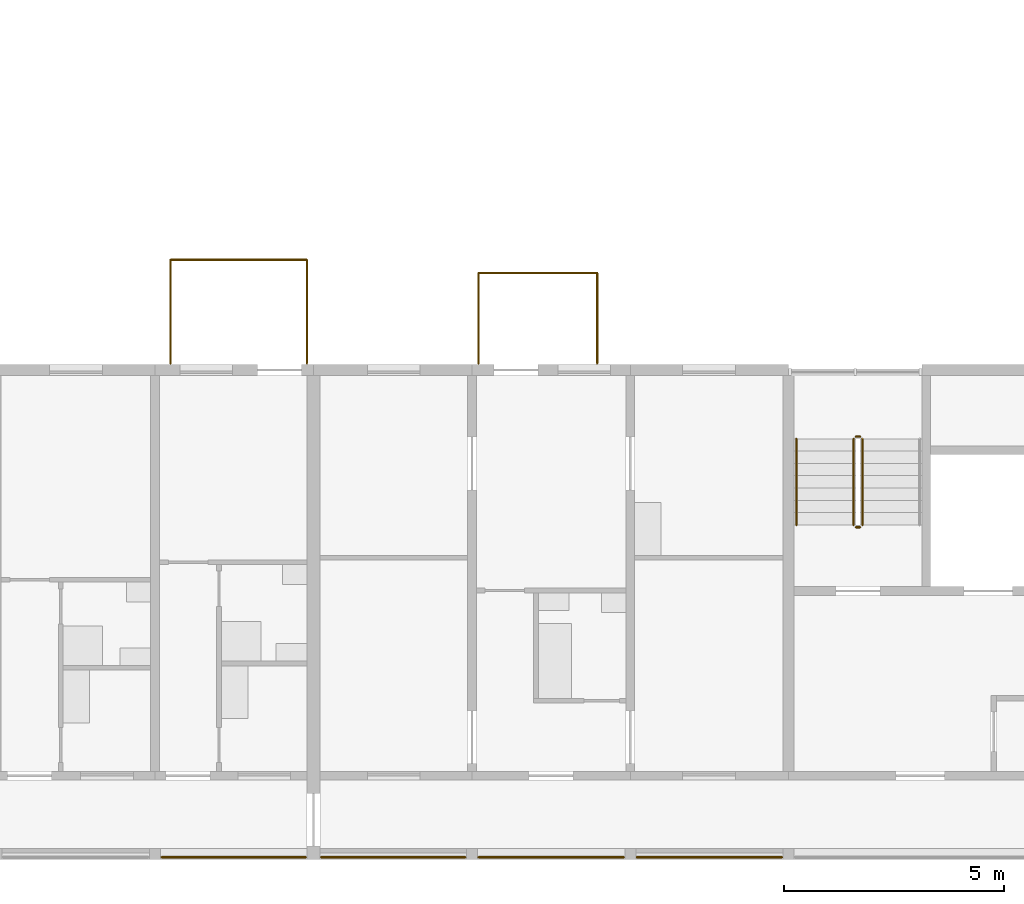
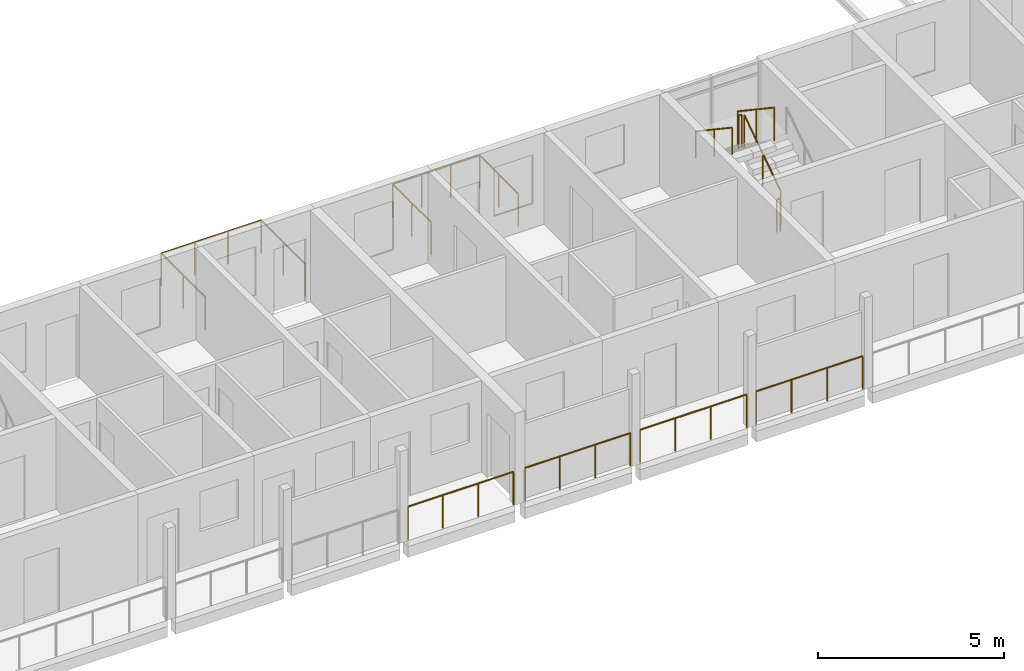
# One storey, part 71 of 87: 11 railings.
"""IFC4 building model written with IfcOpenShell, lengths in metres."""

from ifc_helpers import new_model, si_unit, direction, frame, origin, origin_2d, place, context, subcontext, project, spatial, circle, extrude, material, type_object, element, save


model = new_model("IFC4")

# Units and contexts
model_context = context("Model", 3, precision=1e-05, world=origin(), true_north=direction((0.0, 1.0)))
body_context = subcontext(model_context, "Body", "Model", "MODEL_VIEW")
ifc_project = project(units=[si_unit("LENGTHUNIT", "METRE"), si_unit("AREAUNIT", "SQUARE_METRE"), si_unit("VOLUMEUNIT", "CUBIC_METRE"), si_unit("PLANEANGLEUNIT", "RADIAN"), si_unit("MASSUNIT", "GRAM", prefix="KILO")], contexts=[model_context])

# Site, building, storey
site_placement = place(None, origin())
site = spatial("IfcSite", under=ifc_project, at=site_placement, CompositionType="ELEMENT")
building_placement = place(site_placement, origin())
building = spatial("IfcBuilding", under=site, at=building_placement, Name="Ridgestep Commons", CompositionType="ELEMENT")
storey_placement = place(building_placement, frame((0.0, 0.0, 27.0)))
storey = spatial("IfcBuildingStorey", under=building, at=storey_placement, Name="L09", CompositionType="ELEMENT", Elevation=27.0)

# Railings
ifc_material_1 = material(Name="Structural steel S355JR", Category="steel")
railing_type_1 = type_object("IfcRailingType", Name="Guard 1100", PredefinedType="GUARDRAIL", material=ifc_material_1)
for number, where, name in (
    (1, (58.946044921875, 11.800048828125, 0.0), "Gallery guard A 09.12"),
    (2, (62.571044921875, 11.800048828125, 0.0), "Gallery guard A 09.13"),
):
    element("IfcRailing", number, at=place(storey_placement, frame(where)), inside=storey, type_object=railing_type_1, Name=name, PredefinedType="GUARDRAIL", context=body_context, shape_type="SweptSolid", body=[
        extrude(circle(Radius=0.02392578125, at=origin_2d()), frame((0.0, 0.0, 1.076171875), z_axis=(1.0, 0.0, 0.0), x_axis=(0.0, 1.0, 0.0)), (0.0, 0.0, 1.0), 3.282958984375),
        extrude(circle(Radius=0.02099609375, at=origin_2d()), origin(), (0.0, 0.0, 1.0), 1.052001953125),
        extrude(circle(Radius=0.02099609375, at=origin_2d()), frame((1.09423828125, 0.0, 0.0)), (0.0, 0.0, 1.0), 1.052001953125),
        extrude(circle(Radius=0.02099609375, at=origin_2d()), frame((2.188720703125, 0.0, 0.0)), (0.0, 0.0, 1.0), 1.052001953125),
        extrude(circle(Radius=0.02099609375, at=origin_2d()), frame((3.282958984375, 0.0, 0.0)), (0.0, 0.0, 1.0), 1.052001953125),
    ])
railing_1_placement = place(storey_placement, frame((66.14599609375, 11.800048828125, 0.0)))
element("IfcRailing", 3, at=railing_1_placement, inside=storey, type_object=railing_type_1, Name="Gallery guard A 09.14", PredefinedType="GUARDRAIL", context=body_context, shape_type="SweptSolid", body=[
    extrude(circle(Radius=0.02392578125, at=origin_2d()), frame((0.0, 0.0, 1.076171875), z_axis=(1.0, 0.0, 0.0), x_axis=(0.0, 1.0, 0.0)), (0.0, 0.0, 1.0), 3.30810546875),
    extrude(circle(Radius=0.02099609375, at=origin_2d()), origin(), (0.0, 0.0, 1.0), 1.052001953125),
    extrude(circle(Radius=0.02099609375, at=origin_2d()), frame((1.102783203125, 0.0, 0.0)), (0.0, 0.0, 1.0), 1.052001953125),
    extrude(circle(Radius=0.02099609375, at=origin_2d()), frame((2.205322265625, 0.0, 0.0)), (0.0, 0.0, 1.0), 1.052001953125),
    extrude(circle(Radius=0.02099609375, at=origin_2d()), frame((3.30810546875, 0.0, 0.0)), (0.0, 0.0, 1.0), 1.052001953125),
])
railing_2_placement = place(storey_placement, frame((69.74609375, 11.800048828125, 0.0)))
element("IfcRailing", 4, at=railing_2_placement, inside=storey, type_object=railing_type_1, Name="Gallery guard A 09.15", PredefinedType="GUARDRAIL", context=body_context, shape_type="SweptSolid", body=[
    extrude(circle(Radius=0.02392578125, at=origin_2d()), frame((0.0, 0.0, 1.076171875), z_axis=(1.0, 0.0, 0.0), x_axis=(0.0, 1.0, 0.0)), (0.0, 0.0, 1.0), 3.307861328125),
    extrude(circle(Radius=0.02099609375, at=origin_2d()), origin(), (0.0, 0.0, 1.0), 1.052001953125),
    extrude(circle(Radius=0.02099609375, at=origin_2d()), frame((1.1025390625, 0.0, 0.0)), (0.0, 0.0, 1.0), 1.052001953125),
    extrude(circle(Radius=0.02099609375, at=origin_2d()), frame((2.205322265625, 0.0, 0.0)), (0.0, 0.0, 1.0), 1.052001953125),
    extrude(circle(Radius=0.02099609375, at=origin_2d()), frame((3.307861328125, 0.0, 0.0)), (0.0, 0.0, 1.0), 1.052001953125),
])
ifc_material_2 = material(Name="Structural steel S355JR", Category="steel")
railing_type_2 = type_object("IfcRailingType", Name="Stair guard 1100", PredefinedType="GUARDRAIL", material=ifc_material_2)
railing_3_placement = place(storey_placement, frame((74.875, 19.35009765625, 0.1875)))
element("IfcRailing", 5, at=railing_3_placement, inside=storey, type_object=railing_type_2, Name="L09 A4C stair guard 1", PredefinedType="GUARDRAIL", context=body_context, shape_type="SweptSolid", body=[
    extrude(circle(Radius=0.02392578125, at=origin_2d()), frame((0.0, 0.0, 1.076171875), z_axis=(0.0, 0.830902050051, 0.556418712142), x_axis=(-1.0, 0.0, 0.0)), (0.0, 0.0, 1.0), 2.35888671875),
    extrude(circle(Radius=0.02099609375, at=origin_2d()), origin(), (0.0, 0.0, 1.0), 1.052001953125),
    extrude(circle(Radius=0.02099609375, at=origin_2d()), frame((0.0, 0.97998046875, 0.65625)), (0.0, 0.0, 1.0), 1.052001953125),
    extrude(circle(Radius=0.02099609375, at=origin_2d()), frame((0.0, 1.9599609375, 1.3125)), (0.0, 0.0, 1.0), 1.052001953125),
])
railing_4_placement = place(storey_placement, frame((74.824951171875, 21.360107421875, 1.5)))
element("IfcRailing", 6, at=railing_4_placement, inside=storey, type_object=railing_type_2, Name="L09 A4C stair guard 2", PredefinedType="GUARDRAIL", context=body_context, shape_type="SweptSolid", body=[
    extrude(circle(Radius=0.02392578125, at=origin_2d()), frame((0.0, 0.0, 1.076171875), z_axis=(-1.0, 0.0, 0.0), x_axis=(0.0, -1.0, 0.0)), (0.0, 0.0, 1.0), 0.099853515625),
    extrude(circle(Radius=0.02099609375, at=origin_2d()), origin(), (0.0, 0.0, 1.0), 1.052001953125),
    extrude(circle(Radius=0.02099609375, at=origin_2d()), frame((-0.099853515625, 0.0, 0.0)), (0.0, 0.0, 1.0), 1.052001953125),
])
railing_5_placement = place(storey_placement, frame((74.675048828125, 21.31005859375, 1.6875)))
element("IfcRailing", 7, at=railing_5_placement, inside=storey, type_object=railing_type_2, Name="L09 A4C stair guard 3", PredefinedType="GUARDRAIL", context=body_context, shape_type="SweptSolid", body=[
    extrude(circle(Radius=0.02392578125, at=origin_2d()), frame((0.0, 0.0, 1.076171875), z_axis=(0.0, -0.830902050051, 0.556418712142), x_axis=(1.0, 0.0, 0.0)), (0.0, 0.0, 1.0), 2.35888671875),
    extrude(circle(Radius=0.02099609375, at=origin_2d()), origin(), (0.0, 0.0, 1.0), 1.052001953125),
    extrude(circle(Radius=0.02099609375, at=origin_2d()), frame((0.0, -0.97998046875, 0.65625)), (0.0, 0.0, 1.0), 1.052001953125),
    extrude(circle(Radius=0.02099609375, at=origin_2d()), frame((0.0, -1.9599609375, 1.3125)), (0.0, 0.0, 1.0), 1.052001953125),
])
railing_6_placement = place(storey_placement, frame((74.824951171875, 19.300048828125, 0.0)))
element("IfcRailing", 8, at=railing_6_placement, inside=storey, type_object=railing_type_2, Name="L09 A4C stair guard 4", PredefinedType="GUARDRAIL", context=body_context, shape_type="SweptSolid", body=[
    extrude(circle(Radius=0.02392578125, at=origin_2d()), frame((0.0, 0.0, 1.076171875), z_axis=(-1.0, 0.0, 0.0), x_axis=(0.0, -1.0, 0.0)), (0.0, 0.0, 1.0), 0.099853515625),
    extrude(circle(Radius=0.02099609375, at=origin_2d()), origin(), (0.0, 0.0, 1.0), 1.052001953125),
    extrude(circle(Radius=0.02099609375, at=origin_2d()), frame((-0.099853515625, 0.0, 0.0)), (0.0, 0.0, 1.0), 1.052001953125),
])
ifc_material_3 = material(Name="Structural steel S355JR", Category="steel")
railing_type_3 = type_object("IfcRailingType", Name="Stair handrail 900", PredefinedType="HANDRAIL", material=ifc_material_3)
railing_7_placement = place(storey_placement, frame((73.375, 21.31005859375, 1.6875)))
element("IfcRailing", 9, at=railing_7_placement, inside=storey, type_object=railing_type_3, Name="L09 A4C stair handrail 2", PredefinedType="HANDRAIL", context=body_context, shape_type="SweptSolid", body=[
    extrude(circle(Radius=0.02392578125, at=origin_2d()), frame((0.0, 0.0, 0.8759765625), z_axis=(0.0, -0.830902050051, 0.556418712142), x_axis=(1.0, 0.0, 0.0)), (0.0, 0.0, 1.0), 2.35888671875),
    extrude(circle(Radius=0.02099609375, at=origin_2d()), origin(), (0.0, 0.0, 1.0), 0.851806640625),
    extrude(circle(Radius=0.02099609375, at=origin_2d()), frame((0.0, -0.97998046875, 0.65625)), (0.0, 0.0, 1.0), 0.851806640625),
    extrude(circle(Radius=0.02099609375, at=origin_2d()), frame((0.0, -1.9599609375, 1.3125)), (0.0, 0.0, 1.0), 0.851806640625),
])
ifc_material_4 = material(Name="Weathering steel S355J2W", Category="steel")
railing_type_4 = type_object("IfcRailingType", Name="Tray guard 1100", PredefinedType="GUARDRAIL", material=ifc_material_4)
railing_8_placement = place(storey_placement, frame((59.15087890625, 23.02099609375, 0.0)))
element("IfcRailing", 10, at=railing_8_placement, inside=storey, type_object=railing_type_4, Name="Tray guard A3T1-09", PredefinedType="GUARDRAIL", context=body_context, shape_type="SweptSolid", body=[
    extrude(circle(Radius=0.02392578125, at=origin_2d()), frame((0.0, 0.0, 1.076171875), z_axis=(0.0, 1.0, 0.0), x_axis=(-1.0, 0.0, 0.0)), (0.0, 0.0, 1.0), 2.35791015625),
    extrude(circle(Radius=0.02392578125, at=origin_2d()), frame((0.0, 2.35791015625, 1.076171875), z_axis=(1.0, 0.0, 0.0), x_axis=(0.0, 1.0, 0.0)), (0.0, 0.0, 1.0), 3.09814453125),
    extrude(circle(Radius=0.02392578125, at=origin_2d()), frame((3.09814453125, 2.35791015625, 1.076171875), z_axis=(0.0, -1.0, 0.0), x_axis=(1.0, 0.0, 0.0)), (0.0, 0.0, 1.0), 2.35791015625),
    extrude(circle(Radius=0.02099609375, at=origin_2d()), origin(), (0.0, 0.0, 1.0), 1.052001953125),
    extrude(circle(Radius=0.02099609375, at=origin_2d()), frame((0.0, 1.178955078125, 0.0)), (0.0, 0.0, 1.0), 1.052001953125),
    extrude(circle(Radius=0.02099609375, at=origin_2d()), frame((0.0, 2.35791015625, 0.0)), (0.0, 0.0, 1.0), 1.052001953125),
    extrude(circle(Radius=0.02099609375, at=origin_2d()), frame((1.03271484375, 2.35791015625, 0.0)), (0.0, 0.0, 1.0), 1.052001953125),
    extrude(circle(Radius=0.02099609375, at=origin_2d()), frame((2.0654296875, 2.35791015625, 0.0)), (0.0, 0.0, 1.0), 1.052001953125),
    extrude(circle(Radius=0.02099609375, at=origin_2d()), frame((3.09814453125, 2.35791015625, 0.0)), (0.0, 0.0, 1.0), 1.052001953125),
    extrude(circle(Radius=0.02099609375, at=origin_2d()), frame((3.09814453125, 1.178955078125, 0.0)), (0.0, 0.0, 1.0), 1.052001953125),
    extrude(circle(Radius=0.02099609375, at=origin_2d()), frame((3.09814453125, 0.0, 0.0)), (0.0, 0.0, 1.0), 1.052001953125),
])
railing_9_placement = place(storey_placement, frame((66.15087890625, 23.02099609375, 0.0)))
element("IfcRailing", 11, at=railing_9_placement, inside=storey, type_object=railing_type_4, Name="Tray guard A4T2-09", PredefinedType="GUARDRAIL", context=body_context, shape_type="SweptSolid", body=[
    extrude(circle(Radius=0.02392578125, at=origin_2d()), frame((0.0, 0.0, 1.076171875), z_axis=(0.0, 1.0, 0.0), x_axis=(-1.0, 0.0, 0.0)), (0.0, 0.0, 1.0), 2.05810546875),
    extrude(circle(Radius=0.02392578125, at=origin_2d()), frame((0.0, 2.05810546875, 1.076171875), z_axis=(1.0, 0.0, 0.0), x_axis=(0.0, 1.0, 0.0)), (0.0, 0.0, 1.0), 2.6982421875),
    extrude(circle(Radius=0.02392578125, at=origin_2d()), frame((2.6982421875, 2.05810546875, 1.076171875), z_axis=(0.0, -1.0, 0.0), x_axis=(1.0, 0.0, 0.0)), (0.0, 0.0, 1.0), 2.05810546875),
    extrude(circle(Radius=0.02099609375, at=origin_2d()), origin(), (0.0, 0.0, 1.0), 1.052001953125),
    extrude(circle(Radius=0.02099609375, at=origin_2d()), frame((0.0, 1.029052734375, 0.0)), (0.0, 0.0, 1.0), 1.052001953125),
    extrude(circle(Radius=0.02099609375, at=origin_2d()), frame((0.0, 2.05810546875, 0.0)), (0.0, 0.0, 1.0), 1.052001953125),
    extrude(circle(Radius=0.02099609375, at=origin_2d()), frame((0.8994140625, 2.05810546875, 0.0)), (0.0, 0.0, 1.0), 1.052001953125),
    extrude(circle(Radius=0.02099609375, at=origin_2d()), frame((1.798828125, 2.05810546875, 0.0)), (0.0, 0.0, 1.0), 1.052001953125),
    extrude(circle(Radius=0.02099609375, at=origin_2d()), frame((2.6982421875, 2.05810546875, 0.0)), (0.0, 0.0, 1.0), 1.052001953125),
    extrude(circle(Radius=0.02099609375, at=origin_2d()), frame((2.6982421875, 1.029052734375, 0.0)), (0.0, 0.0, 1.0), 1.052001953125),
    extrude(circle(Radius=0.02099609375, at=origin_2d()), frame((2.6982421875, 0.0, 0.0)), (0.0, 0.0, 1.0), 1.052001953125),
])

save(model, "model.ifc")
